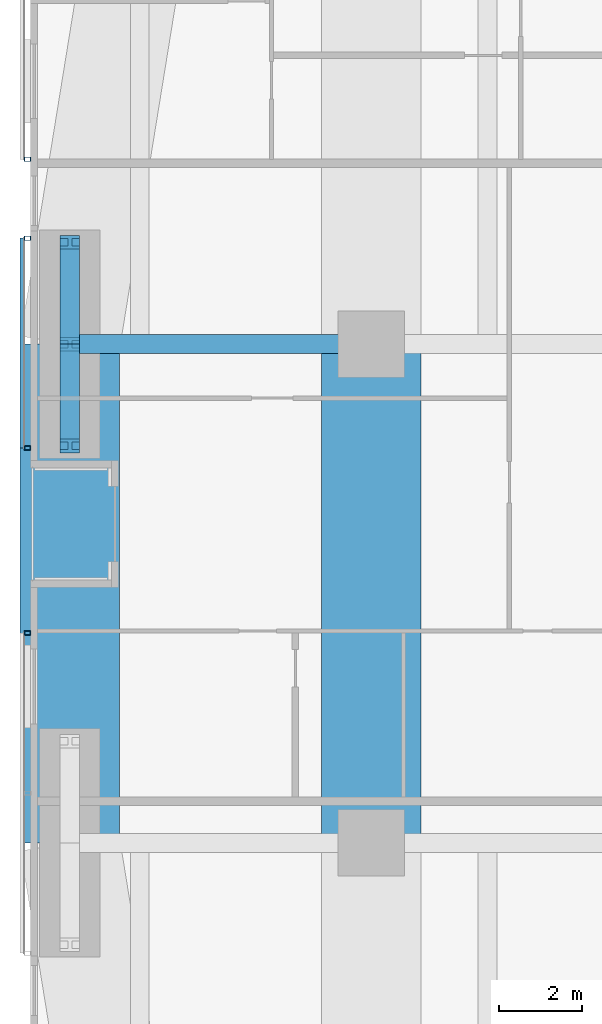
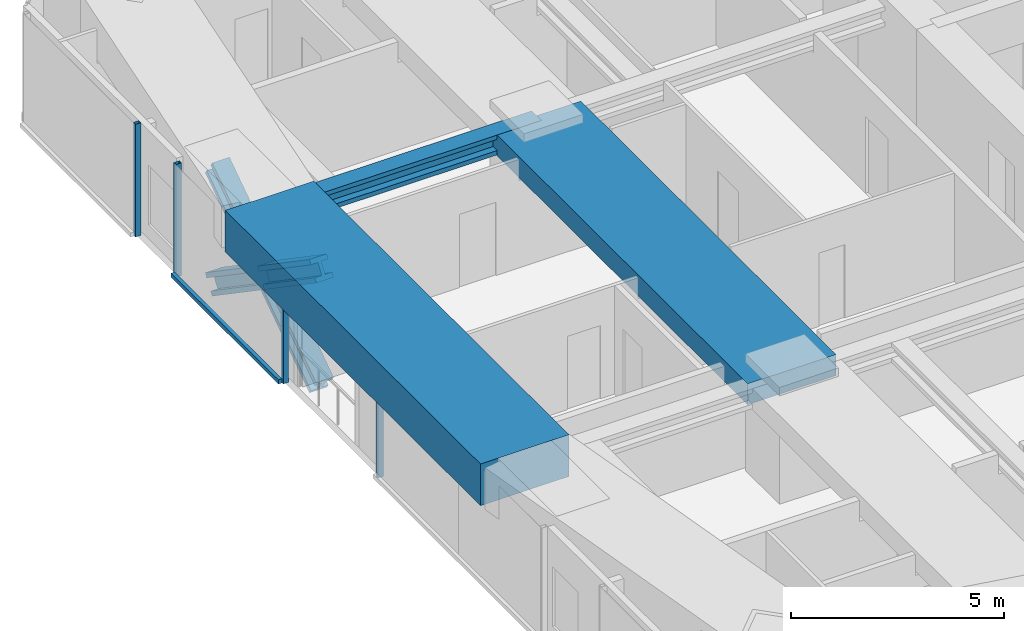
# One storey, part 5 of 22: 9 members, 3 beams, 3 elements without a shape of their own.
"""IFC4 building model written with IfcOpenShell, lengths in metres."""

from ifc_helpers import new_model, si_unit, direction, frame, origin, origin_2d, place, context, subcontext, project, spatial, rectangle, hollow_rectangle, i_section, extrude, material, material_profile, profile_set, type_object, element, aggregate, save


model = new_model("IFC4")

# Units and contexts
model_context = context("Model", 3, precision=1e-05, world=origin(), true_north=direction((0.0, 1.0)))
body_context = subcontext(model_context, "Body", "Model", "MODEL_VIEW")
ifc_project = project(units=[si_unit("LENGTHUNIT", "METRE"), si_unit("AREAUNIT", "SQUARE_METRE"), si_unit("VOLUMEUNIT", "CUBIC_METRE"), si_unit("PLANEANGLEUNIT", "RADIAN"), si_unit("MASSUNIT", "GRAM", prefix="KILO")], contexts=[model_context])

# Site, building, storey
site_placement = place(None, origin())
site = spatial("IfcSite", under=ifc_project, at=site_placement, CompositionType="ELEMENT")
building_placement = place(site_placement, origin())
building = spatial("IfcBuilding", under=site, at=building_placement, Name="Jalousie Tower", CompositionType="ELEMENT")
storey_placement = place(building_placement, frame((0.0, 0.0, 67.89990234375)))
storey = spatial("IfcBuildingStorey", under=building, at=storey_placement, Name="L18", CompositionType="ELEMENT", Elevation=67.89990234375)

# Beam
ifc_material_1 = material(Name="Steel ASTM A992 Grade 50", Category="steel")
ifc_material_profile_1 = material_profile(ifc_material_1, i_section(OverallWidth=0.45458984375, OverallDepth=0.569091796875, WebThickness=0.077880859375, FlangeThickness=0.124755859375, at=origin_2d()), Name="W14X730")
ifc_profile_set_1 = profile_set([ifc_material_profile_1], Name="Steel ASTM A992 Grade 50")
beam_type_1 = type_object("IfcBeamType", Name="LEAN COLLECTOR W14X730", PredefinedType="BEAM", material=ifc_profile_set_1)
beam_1_placement = place(storey_placement, frame((2.949951171875, 25.0, 2.82568359375), z_axis=(1.0, 0.0, 0.0), x_axis=(0.0, 1.0, 0.0)))
element("IfcBeam", 1, at=beam_1_placement, inside=storey, type_object=beam_type_1, Name="Lean collector under L19", PredefinedType="BEAM", context=body_context, shape_type="SweptSolid", body=[
    extrude(i_section(OverallWidth=0.45458984375, OverallDepth=0.569091796875, WebThickness=0.077880859375, FlangeThickness=0.124755859375, at=origin_2d()), origin(), (0.0, 0.0, 1.0), 7.25),
])

# Members
ifc_material_2 = material(Name="Steel ASTM A992 Grade 50", Category="steel")
ifc_material_profile_2 = material_profile(ifc_material_2, i_section(OverallWidth=0.472412109375, OverallDepth=0.5791015625, WebThickness=0.094970703125, FlangeThickness=0.1298828125, at=origin_2d()), Name="W14X808")
ifc_profile_set_2 = profile_set([ifc_material_profile_2], Name="Steel ASTM A992 Grade 50")
member_type_1 = type_object("IfcMemberType", Name="PERIMETER BRACE W14X808", PredefinedType="BRACE", material=ifc_profile_set_2)
for number, where, z_axis, x_axis, name in (
    (2, (2.949951171875, 22.550048828125, -0.599853515625), (0.0, 0.825500916831, 0.564400776321), (-1.0, 0.0, 0.0), "Perimeter brace 13 L18 part 1"),
    (3, (2.949951171875, 25.0, 1.0751953125), (0.0, 0.825539243753, 0.564344714713), (-1.0, 0.0, 0.0), "Perimeter brace 13 L18 part 2"),
    (4, (2.949951171875, 27.449951171875, -0.599853515625), (0.0, -0.825500916831, 0.564400776321), (1.0, 0.0, 0.0), "Perimeter brace 13 L18 part 3"),
    (5, (2.949951171875, 25.0, 1.0751953125), (0.0, -0.825539243753, 0.564344714713), (1.0, 0.0, 0.0), "Perimeter brace 13 L18 part 4"),
):
    element("IfcMember", number, at=place(storey_placement, frame(where, z_axis=z_axis, x_axis=x_axis)), inside=storey, type_object=member_type_1, Name=name, PredefinedType="BRACE", context=body_context, shape_type="SweptSolid", body=[
        extrude(i_section(OverallWidth=0.472412109375, OverallDepth=0.5791015625, WebThickness=0.094970703125, FlangeThickness=0.1298828125, at=origin_2d()), origin(), (0.0, 0.0, 1.0), 2.9677734375),
    ])

# Beams
ifc_material_3 = material(Name="Concrete f'c 40 MPa", Category="concrete")
ifc_material_profile_3 = material_profile(ifc_material_3, rectangle(XDim=2.39990234375, YDim=1.199951171875, at=origin_2d()), Name="RC 2400x1200")
ifc_profile_set_3 = profile_set([ifc_material_profile_3], Name="Concrete f'c 40 MPa")
beam_type_2 = type_object("IfcBeamType", Name="RC BEAM 2400x1200", PredefinedType="BEAM", material=ifc_profile_set_3)
beam_2_placement = place(storey_placement, frame((2.949951171875, 25.0, 2.75), z_axis=(0.0, -1.0, 0.0), x_axis=(1.0, 0.0, 0.0)))
element("IfcBeam", 6, at=beam_2_placement, inside=storey, type_object=beam_type_2, Name="Edge band beam 13-14 under L19", PredefinedType="BEAM", context=body_context, shape_type="SweptSolid", body=[
    extrude(rectangle(XDim=2.39990234375, YDim=1.199951171875, at=origin_2d()), origin(), (0.0, 0.0, 1.0), 12.0),
])
ifc_material_4 = material(Name="Concrete f'c 40 MPa", Category="concrete")
ifc_material_profile_4 = material_profile(ifc_material_4, rectangle(XDim=2.39990234375, YDim=0.60009765625, at=origin_2d()), Name="RC 2400x600")
ifc_profile_set_4 = profile_set([ifc_material_profile_4], Name="Concrete f'c 40 MPa")
beam_type_3 = type_object("IfcBeamType", Name="RC BEAM 2400x600", PredefinedType="BEAM", material=ifc_profile_set_4)
beam_3_placement = place(storey_placement, frame((10.199951171875, 13.0, 2.81005859375), z_axis=(0.0, 1.0, 0.0), x_axis=(-1.0, 0.0, 0.0)))
element("IfcBeam", 7, at=beam_3_placement, inside=storey, type_object=beam_type_3, Name="Floor band beam under L19", PredefinedType="BEAM", context=body_context, shape_type="SweptSolid", body=[
    extrude(rectangle(XDim=2.39990234375, YDim=0.60009765625, at=origin_2d()), origin(), (0.0, 0.0, 1.0), 12.0),
])

# Curtain wall, member
ifc_material_5 = material(Name="Perforated aluminium sheet", Category="aluminium")
curtain_wall_type = type_object("IfcCurtainWallType", Name="SOLAR SCREEN SS-1", PredefinedType="USERDEFINED", material=ifc_material_5)
curtain_wall_1_placement = place(storey_placement, origin())
curtain_wall_1 = element("IfcCurtainWall", 8, at=curtain_wall_1_placement, inside=storey, type_object=curtain_wall_type, Name="Solar screen L18", ObjectType="SOLAR SCREEN SS-1", PredefinedType="USERDEFINED")
ifc_material_6 = material(Name="Steel ASTM A500 Grade C", Category="steel")
ifc_material_profile_5 = material_profile(ifc_material_6, hollow_rectangle(XDim=0.1015625, YDim=0.15234375, WallThickness=0.00634765625, at=origin_2d()), Name="HSS6X4X1/4")
ifc_profile_set_5 = profile_set([ifc_material_profile_5], Name="Steel ASTM A500 Grade C")
member_type_2 = type_object("IfcMemberType", Name="SOLAR SCREEN SS-1 MULLION", PredefinedType="MULLION", material=ifc_profile_set_5)
member_1_placement = place(storey_placement, frame((1.9287109375, 29.449951171875, -0.119873046875), z_axis=(0.0, 0.0, 1.0), x_axis=(0.0, -1.0, 0.0)))
member_1 = element("IfcMember", 9, at=member_1_placement, type_object=member_type_2, Name="SS1 post 2", PredefinedType="MULLION", context=body_context, shape_type="SweptSolid", body=[
    extrude(hollow_rectangle(XDim=0.1015625, YDim=0.15234375, WallThickness=0.00634765625, at=origin_2d()), origin(), (0.0, 0.0, 1.0), 3.22998046875),
])
aggregate(curtain_wall_1, [member_1])

# Curtain wall, members
curtain_wall_2_placement = place(storey_placement, origin())
curtain_wall_2 = element("IfcCurtainWall", 10, at=curtain_wall_2_placement, inside=storey, type_object=curtain_wall_type, Name="Solar screen L18", ObjectType="SOLAR SCREEN SS-1", PredefinedType="USERDEFINED")
member_2_placement = place(storey_placement, frame((1.9287109375, 27.550048828125, -0.119873046875), z_axis=(0.0, 0.0, 1.0), x_axis=(0.0, -1.0, 0.0)))
member_2 = element("IfcMember", 11, at=member_2_placement, type_object=member_type_2, Name="SS1 post 1", PredefinedType="MULLION", context=body_context, shape_type="SweptSolid", body=[
    extrude(hollow_rectangle(XDim=0.1015625, YDim=0.15234375, WallThickness=0.00634765625, at=origin_2d()), origin(), (0.0, 0.0, 1.0), 3.22998046875),
])
member_3_placement = place(storey_placement, frame((1.9287109375, 22.5, -0.119873046875), z_axis=(0.0, 0.0, 1.0), x_axis=(0.0, -1.0, 0.0)))
member_3 = element("IfcMember", 12, at=member_3_placement, type_object=member_type_2, Name="SS1 post 2", PredefinedType="MULLION", context=body_context, shape_type="SweptSolid", body=[
    extrude(hollow_rectangle(XDim=0.1015625, YDim=0.15234375, WallThickness=0.00634765625, at=origin_2d()), origin(), (0.0, 0.0, 1.0), 3.22998046875),
])

# Curtain wall, member
curtain_wall_3_placement = place(storey_placement, origin())
curtain_wall_3 = element("IfcCurtainWall", 13, at=curtain_wall_3_placement, inside=storey, type_object=curtain_wall_type, Name="Solar screen L18", ObjectType="SOLAR SCREEN SS-1", PredefinedType="USERDEFINED")
member_4_placement = place(storey_placement, frame((1.9287109375, 18.050048828125, -0.119873046875), z_axis=(0.0, 0.0, 1.0), x_axis=(0.0, -1.0, 0.0)))
member_4 = element("IfcMember", 14, at=member_4_placement, type_object=member_type_2, Name="SS1 post 1", PredefinedType="MULLION", context=body_context, shape_type="SweptSolid", body=[
    extrude(hollow_rectangle(XDim=0.1015625, YDim=0.15234375, WallThickness=0.00634765625, at=origin_2d()), origin(), (0.0, 0.0, 1.0), 3.22998046875),
])
aggregate(curtain_wall_3, [member_4])

# Member
ifc_material_7 = material(Name="Extruded aluminium screen rail", Category="aluminium")
ifc_material_profile_6 = material_profile(ifc_material_7, rectangle(XDim=0.1015625, YDim=0.1201171875, at=origin_2d()), Name="RAIL 102x120")
ifc_profile_set_6 = profile_set([ifc_material_profile_6], Name="Extruded aluminium screen rail")
member_type_3 = type_object("IfcMemberType", Name="SOLAR SCREEN SS-1 TRANSOM", PredefinedType="USERDEFINED", material=ifc_profile_set_6)
member_5_placement = place(storey_placement, frame((1.8017578125, 27.550048828125, -0.059814453125), z_axis=(0.0, -1.0, 0.0), x_axis=(1.0, 0.0, 0.0)))
member_5 = element("IfcMember", 15, at=member_5_placement, type_object=member_type_3, Name="SS1 rail", ObjectType="TRANSOM", PredefinedType="USERDEFINED", context=body_context, shape_type="SweptSolid", body=[
    extrude(rectangle(XDim=0.1015625, YDim=0.1201171875, at=origin_2d()), origin(), (0.0, 0.0, 1.0), 5.050048828125),
])

aggregate(curtain_wall_2, [member_2, member_3, member_5])

save(model, "model.ifc")
